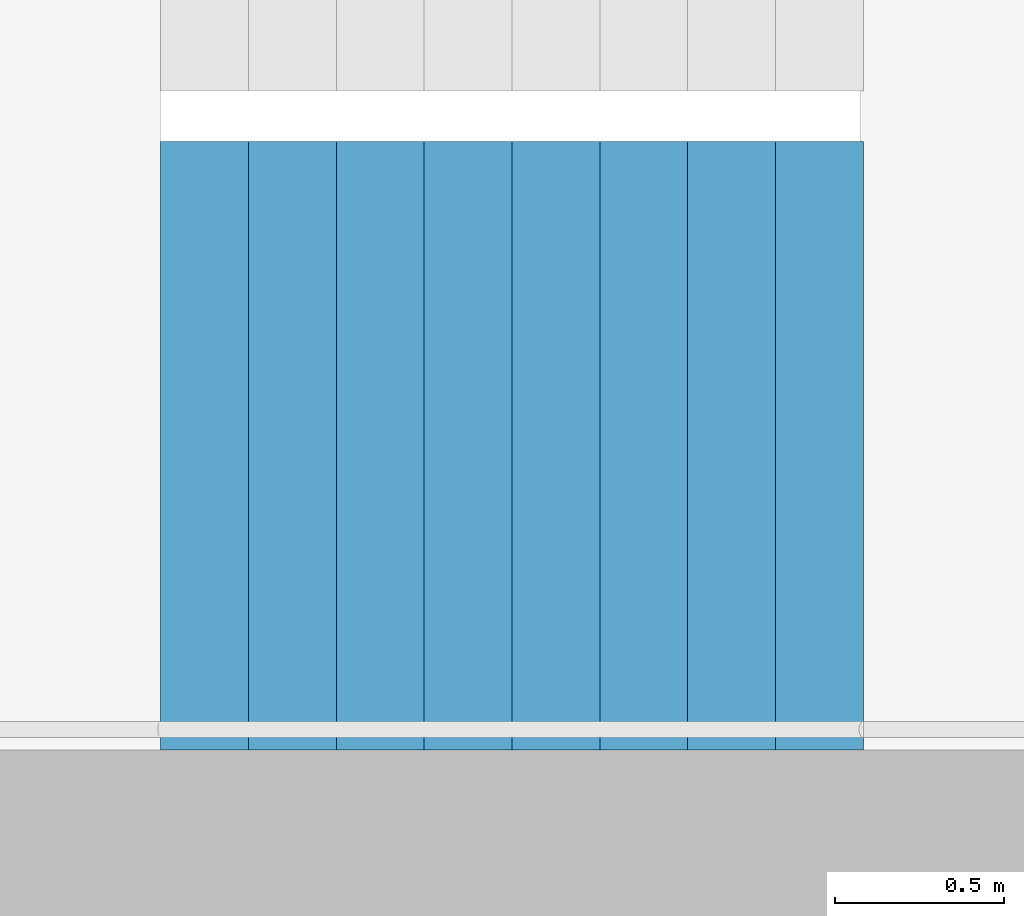
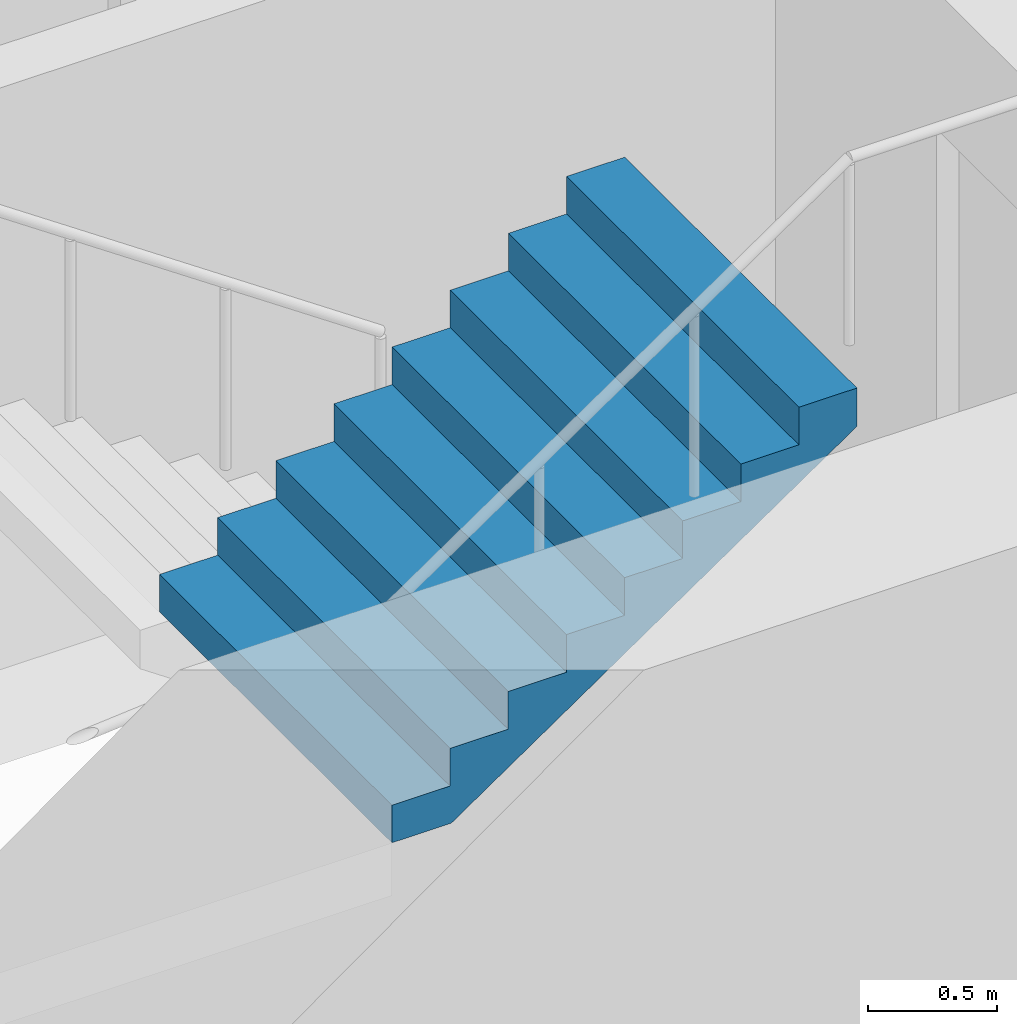
# One storey, part 19 of 27: 1 stair flight, 1 element without a shape of its own.
"""IFC4 building model written with IfcOpenShell, lengths in metres."""

from ifc_helpers import new_model, si_unit, direction, frame, origin, place, context, subcontext, project, spatial, triangles, material, type_object, element, aggregate, save


model = new_model("IFC4")

# Units and contexts
model_context = context("Model", 3, precision=1e-05, world=origin(), true_north=direction((0.0, 1.0)))
body_context = subcontext(model_context, "Body", "Model", "MODEL_VIEW")
ifc_project = project(units=[si_unit("LENGTHUNIT", "METRE"), si_unit("AREAUNIT", "SQUARE_METRE"), si_unit("VOLUMEUNIT", "CUBIC_METRE"), si_unit("PLANEANGLEUNIT", "RADIAN"), si_unit("MASSUNIT", "GRAM", prefix="KILO")], contexts=[model_context])

# Site, building, storey
site_placement = place(None, origin())
site = spatial("IfcSite", under=ifc_project, at=site_placement, CompositionType="ELEMENT")
building_placement = place(site_placement, origin())
building = spatial("IfcBuilding", under=site, at=building_placement, Name="Hakoniwa Tower and Hamabe Station Hall", CompositionType="ELEMENT")
storey_placement = place(building_placement, frame((0.0, 0.0, 255.0)))
storey = spatial("IfcBuildingStorey", under=building, at=storey_placement, Name="L72", CompositionType="ELEMENT", Elevation=255.0)

# Stair, stair flight
ifc_material_1 = material(Name="Concrete C40", Category="concrete")
stair_type = type_object("IfcStairType", Name="ESCAPE STAIR 1800", PredefinedType="HALF_TURN_STAIR", material=ifc_material_1)
stair_placement = place(storey_placement, origin())
stair = element("IfcStair", 1, at=stair_placement, inside=storey, type_object=stair_type, Name="Escape stair ST-2 L72", PredefinedType="HALF_TURN_STAIR")
ifc_material_2 = material(Name="Concrete C40", Category="concrete")
stair_flight_type = type_object("IfcStairFlightType", Name="STAIR FLIGHT 1800", PredefinedType="STRAIGHT", material=ifc_material_2)
stair_flight_placement = place(storey_placement, frame((-25.47998046875, -6.60009765625, 1.60009765625), z_axis=(0.0, 0.0, 1.0), x_axis=(1.0, 0.0, 0.0)))
stair_flight = element("IfcStairFlight", 2, at=stair_flight_placement, type_object=stair_flight_type, Name="ST-2 flight 2", NumberOfRisers=9, NumberOfTreads=8, PredefinedType="STRAIGHT", RiserHeight=0.177777778, TreadLength=0.26, context=body_context, shape_type="Tessellation", body=[
    triangles([(0.0, 0.89990234375, 0.0), (0.260009765625, 0.89990234375, 0.0), (0.265625, 0.89990234375, 0.0), (0.52001953125, 0.89990234375, 0.174072265625), (0.780029296875, 0.89990234375, 0.351806640625), (1.0400390625, 0.89990234375, 0.529541015625), (1.300048828125, 0.89990234375, 0.707275390625), (1.56005859375, 0.89990234375, 0.885009765625), (1.820068359375, 0.89990234375, 1.062744140625), (2.080078125, 0.89990234375, 1.24072265625), (2.080078125, 0.89990234375, 1.422119140625), (1.820068359375, 0.89990234375, 1.422119140625), (1.820068359375, 0.89990234375, 1.244384765625), (1.56005859375, 0.89990234375, 1.244384765625), (1.56005859375, 0.89990234375, 1.066650390625), (1.300048828125, 0.89990234375, 1.066650390625), (1.300048828125, 0.89990234375, 0.888916015625), (1.0400390625, 0.89990234375, 0.888916015625), (1.0400390625, 0.89990234375, 0.711181640625), (0.780029296875, 0.89990234375, 0.711181640625), (0.780029296875, 0.89990234375, 0.533447265625), (0.52001953125, 0.89990234375, 0.533447265625), (0.52001953125, 0.89990234375, 0.35546875), (0.265625, 0.89990234375, 0.35546875), (0.260009765625, 0.89990234375, 0.35546875), (0.260009765625, 0.89990234375, 0.177734375), (0.0, 0.89990234375, 0.177734375), (0.0, 0.06005859375, 0.0), (0.260009765625, 0.06005859375, 0.0), (0.265625, 0.06005859375, 0.0), (0.52001953125, 0.06005859375, 0.174072265625), (0.780029296875, 0.06005859375, 0.351806640625), (1.0400390625, 0.06005859375, 0.529541015625), (1.300048828125, 0.06005859375, 0.707275390625), (1.56005859375, 0.06005859375, 0.885009765625), (1.820068359375, 0.06005859375, 1.062744140625), (2.080078125, 0.06005859375, 1.24072265625), (2.080078125, 0.06005859375, 1.422119140625), (1.820068359375, 0.06005859375, 1.422119140625), (1.820068359375, 0.06005859375, 1.244384765625), (1.56005859375, 0.06005859375, 1.244384765625), (1.56005859375, 0.06005859375, 1.066650390625), (1.300048828125, 0.06005859375, 1.066650390625), (1.300048828125, 0.06005859375, 0.888916015625), (1.0400390625, 0.06005859375, 0.888916015625), (1.0400390625, 0.06005859375, 0.711181640625), (0.780029296875, 0.06005859375, 0.711181640625), (0.780029296875, 0.06005859375, 0.533447265625), (0.52001953125, 0.06005859375, 0.533447265625), (0.52001953125, 0.06005859375, 0.35546875), (0.265625, 0.06005859375, 0.35546875), (0.260009765625, 0.06005859375, 0.35546875), (0.260009765625, 0.06005859375, 0.177734375), (0.0, 0.06005859375, 0.177734375), (0.0, 0.04296875, 0.0), (0.260009765625, 0.04296875, 0.0), (0.265625, 0.04296875, 0.0), (0.52001953125, 0.04296875, 0.174072265625), (0.780029296875, 0.04296875, 0.351806640625), (1.0400390625, 0.04296875, 0.529541015625), (1.300048828125, 0.04296875, 0.707275390625), (1.56005859375, 0.04296875, 0.885009765625), (1.820068359375, 0.04296875, 1.062744140625), (2.080078125, 0.04296875, 1.24072265625), (2.080078125, 0.04296875, 1.422119140625), (1.820068359375, 0.04296875, 1.422119140625), (1.820068359375, 0.04296875, 1.244384765625), (1.56005859375, 0.04296875, 1.244384765625), (1.56005859375, 0.04296875, 1.066650390625), (1.300048828125, 0.04296875, 1.066650390625), (1.300048828125, 0.04296875, 0.888916015625), (1.0400390625, 0.04296875, 0.888916015625), (1.0400390625, 0.04296875, 0.711181640625), (0.780029296875, 0.04296875, 0.711181640625), (0.780029296875, 0.04296875, 0.533447265625), (0.52001953125, 0.04296875, 0.533447265625), (0.52001953125, 0.04296875, 0.35546875), (0.265625, 0.04296875, 0.35546875), (0.260009765625, 0.04296875, 0.35546875), (0.260009765625, 0.04296875, 0.177734375), (0.0, 0.04296875, 0.177734375), (0.0, 0.025634765625, 0.0), (0.260009765625, 0.025634765625, 0.0), (0.265625, 0.025634765625, 0.0), (0.52001953125, 0.025634765625, 0.174072265625), (0.780029296875, 0.025634765625, 0.351806640625), (1.0400390625, 0.025634765625, 0.529541015625), (1.300048828125, 0.025634765625, 0.707275390625), (1.56005859375, 0.025634765625, 0.885009765625), (1.820068359375, 0.025634765625, 1.062744140625), (2.080078125, 0.025634765625, 1.24072265625), (2.080078125, 0.025634765625, 1.422119140625), (1.820068359375, 0.025634765625, 1.422119140625), (1.820068359375, 0.025634765625, 1.244384765625), (1.56005859375, 0.025634765625, 1.244384765625), (1.56005859375, 0.025634765625, 1.066650390625), (1.300048828125, 0.025634765625, 1.066650390625), (1.300048828125, 0.025634765625, 0.888916015625), (1.0400390625, 0.025634765625, 0.888916015625), (1.0400390625, 0.025634765625, 0.711181640625), (0.780029296875, 0.025634765625, 0.711181640625), (0.780029296875, 0.025634765625, 0.533447265625), (0.52001953125, 0.025634765625, 0.533447265625), (0.52001953125, 0.025634765625, 0.35546875), (0.265625, 0.025634765625, 0.35546875), (0.260009765625, 0.025634765625, 0.35546875), (0.260009765625, 0.025634765625, 0.177734375), (0.0, 0.025634765625, 0.177734375), (0.0, 0.008544921875, 0.0), (0.260009765625, 0.008544921875, 0.0), (0.265625, 0.008544921875, 0.0), (0.52001953125, 0.008544921875, 0.174072265625), (0.780029296875, 0.008544921875, 0.351806640625), (1.0400390625, 0.008544921875, 0.529541015625), (1.300048828125, 0.008544921875, 0.707275390625), (1.56005859375, 0.008544921875, 0.885009765625), (1.820068359375, 0.008544921875, 1.062744140625), (2.080078125, 0.008544921875, 1.24072265625), (2.080078125, 0.008544921875, 1.422119140625), (1.820068359375, 0.008544921875, 1.422119140625), (1.820068359375, 0.008544921875, 1.244384765625), (1.56005859375, 0.008544921875, 1.244384765625), (1.56005859375, 0.008544921875, 1.066650390625), (1.300048828125, 0.008544921875, 1.066650390625), (1.300048828125, 0.008544921875, 0.888916015625), (1.0400390625, 0.008544921875, 0.888916015625), (1.0400390625, 0.008544921875, 0.711181640625), (0.780029296875, 0.008544921875, 0.711181640625), (0.780029296875, 0.008544921875, 0.533447265625), (0.52001953125, 0.008544921875, 0.533447265625), (0.52001953125, 0.008544921875, 0.35546875), (0.265625, 0.008544921875, 0.35546875), (0.260009765625, 0.008544921875, 0.35546875), (0.260009765625, 0.008544921875, 0.177734375), (0.0, 0.008544921875, 0.177734375), (0.0, -0.008544921875, 0.0), (0.260009765625, -0.008544921875, 0.0), (0.265625, -0.008544921875, 0.0), (0.52001953125, -0.008544921875, 0.174072265625), (0.780029296875, -0.008544921875, 0.351806640625), (1.0400390625, -0.008544921875, 0.529541015625), (1.300048828125, -0.008544921875, 0.707275390625), (1.56005859375, -0.008544921875, 0.885009765625), (1.820068359375, -0.008544921875, 1.062744140625), (2.080078125, -0.008544921875, 1.24072265625), (2.080078125, -0.008544921875, 1.422119140625), (1.820068359375, -0.008544921875, 1.422119140625), (1.820068359375, -0.008544921875, 1.244384765625), (1.56005859375, -0.008544921875, 1.244384765625), (1.56005859375, -0.008544921875, 1.066650390625), (1.300048828125, -0.008544921875, 1.066650390625), (1.300048828125, -0.008544921875, 0.888916015625), (1.0400390625, -0.008544921875, 0.888916015625), (1.0400390625, -0.008544921875, 0.711181640625), (0.780029296875, -0.008544921875, 0.711181640625), (0.780029296875, -0.008544921875, 0.533447265625), (0.52001953125, -0.008544921875, 0.533447265625), (0.52001953125, -0.008544921875, 0.35546875), (0.265625, -0.008544921875, 0.35546875), (0.260009765625, -0.008544921875, 0.35546875), (0.260009765625, -0.008544921875, 0.177734375), (0.0, -0.008544921875, 0.177734375), (0.0, -0.025634765625, 0.0), (0.260009765625, -0.025634765625, 0.0), (0.265625, -0.025634765625, 0.0), (0.52001953125, -0.025634765625, 0.174072265625), (0.780029296875, -0.025634765625, 0.351806640625), (1.0400390625, -0.025634765625, 0.529541015625), (1.300048828125, -0.025634765625, 0.707275390625), (1.56005859375, -0.025634765625, 0.885009765625), (1.820068359375, -0.025634765625, 1.062744140625), (2.080078125, -0.025634765625, 1.24072265625), (2.080078125, -0.025634765625, 1.422119140625), (1.820068359375, -0.025634765625, 1.422119140625), (1.820068359375, -0.025634765625, 1.244384765625), (1.56005859375, -0.025634765625, 1.244384765625), (1.56005859375, -0.025634765625, 1.066650390625), (1.300048828125, -0.025634765625, 1.066650390625), (1.300048828125, -0.025634765625, 0.888916015625), (1.0400390625, -0.025634765625, 0.888916015625), (1.0400390625, -0.025634765625, 0.711181640625), (0.780029296875, -0.025634765625, 0.711181640625), (0.780029296875, -0.025634765625, 0.533447265625), (0.52001953125, -0.025634765625, 0.533447265625), (0.52001953125, -0.025634765625, 0.35546875), (0.265625, -0.025634765625, 0.35546875), (0.260009765625, -0.025634765625, 0.35546875), (0.260009765625, -0.025634765625, 0.177734375), (0.0, -0.025634765625, 0.177734375), (0.0, -0.04296875, 0.0), (0.260009765625, -0.04296875, 0.0), (0.265625, -0.04296875, 0.0), (0.52001953125, -0.04296875, 0.174072265625), (0.780029296875, -0.04296875, 0.351806640625), (1.0400390625, -0.04296875, 0.529541015625), (1.300048828125, -0.04296875, 0.707275390625), (1.56005859375, -0.04296875, 0.885009765625), (1.820068359375, -0.04296875, 1.062744140625), (2.080078125, -0.04296875, 1.24072265625), (2.080078125, -0.04296875, 1.422119140625), (1.820068359375, -0.04296875, 1.422119140625), (1.820068359375, -0.04296875, 1.244384765625), (1.56005859375, -0.04296875, 1.244384765625), (1.56005859375, -0.04296875, 1.066650390625), (1.300048828125, -0.04296875, 1.066650390625), (1.300048828125, -0.04296875, 0.888916015625), (1.0400390625, -0.04296875, 0.888916015625), (1.0400390625, -0.04296875, 0.711181640625), (0.780029296875, -0.04296875, 0.711181640625), (0.780029296875, -0.04296875, 0.533447265625), (0.52001953125, -0.04296875, 0.533447265625), (0.52001953125, -0.04296875, 0.35546875), (0.265625, -0.04296875, 0.35546875), (0.260009765625, -0.04296875, 0.35546875), (0.260009765625, -0.04296875, 0.177734375), (0.0, -0.04296875, 0.177734375), (0.0, -0.06005859375, 0.0), (0.260009765625, -0.06005859375, 0.0), (0.265625, -0.06005859375, 0.0), (0.52001953125, -0.06005859375, 0.174072265625), (0.780029296875, -0.06005859375, 0.351806640625), (1.0400390625, -0.06005859375, 0.529541015625), (1.300048828125, -0.06005859375, 0.707275390625), (1.56005859375, -0.06005859375, 0.885009765625), (1.820068359375, -0.06005859375, 1.062744140625), (2.080078125, -0.06005859375, 1.24072265625), (2.080078125, -0.06005859375, 1.422119140625), (1.820068359375, -0.06005859375, 1.422119140625), (1.820068359375, -0.06005859375, 1.244384765625), (1.56005859375, -0.06005859375, 1.244384765625), (1.56005859375, -0.06005859375, 1.066650390625), (1.300048828125, -0.06005859375, 1.066650390625), (1.300048828125, -0.06005859375, 0.888916015625), (1.0400390625, -0.06005859375, 0.888916015625), (1.0400390625, -0.06005859375, 0.711181640625), (0.780029296875, -0.06005859375, 0.711181640625), (0.780029296875, -0.06005859375, 0.533447265625), (0.52001953125, -0.06005859375, 0.533447265625), (0.52001953125, -0.06005859375, 0.35546875), (0.265625, -0.06005859375, 0.35546875), (0.260009765625, -0.06005859375, 0.35546875), (0.260009765625, -0.06005859375, 0.177734375), (0.0, -0.06005859375, 0.177734375), (0.0, -0.89990234375, 0.0), (0.260009765625, -0.89990234375, 0.0), (0.265625, -0.89990234375, 0.0), (0.52001953125, -0.89990234375, 0.174072265625), (0.780029296875, -0.89990234375, 0.351806640625), (1.0400390625, -0.89990234375, 0.529541015625), (1.300048828125, -0.89990234375, 0.707275390625), (1.56005859375, -0.89990234375, 0.885009765625), (1.820068359375, -0.89990234375, 1.062744140625), (2.080078125, -0.89990234375, 1.24072265625), (2.080078125, -0.89990234375, 1.422119140625), (1.820068359375, -0.89990234375, 1.422119140625), (1.820068359375, -0.89990234375, 1.244384765625), (1.56005859375, -0.89990234375, 1.244384765625), (1.56005859375, -0.89990234375, 1.066650390625), (1.300048828125, -0.89990234375, 1.066650390625), (1.300048828125, -0.89990234375, 0.888916015625), (1.0400390625, -0.89990234375, 0.888916015625), (1.0400390625, -0.89990234375, 0.711181640625), (0.780029296875, -0.89990234375, 0.711181640625), (0.780029296875, -0.89990234375, 0.533447265625), (0.52001953125, -0.89990234375, 0.533447265625), (0.52001953125, -0.89990234375, 0.35546875), (0.265625, -0.89990234375, 0.35546875), (0.260009765625, -0.89990234375, 0.35546875), (0.260009765625, -0.89990234375, 0.177734375), (0.0, -0.89990234375, 0.177734375)], [[2, 27, 26], [245, 269, 270], [2, 1, 27], [245, 270, 244], [3, 25, 24], [246, 267, 268], [3, 26, 25], [246, 268, 269], [3, 2, 26], [246, 269, 245], [4, 24, 23], [247, 266, 267], [4, 3, 24], [247, 267, 246], [5, 22, 21], [248, 264, 265], [5, 23, 22], [248, 265, 266], [5, 4, 23], [248, 266, 247], [6, 20, 19], [249, 262, 263], [6, 21, 20], [249, 263, 264], [6, 5, 21], [249, 264, 248], [7, 18, 17], [250, 260, 261], [7, 19, 18], [250, 261, 262], [7, 6, 19], [250, 262, 249], [8, 16, 15], [251, 258, 259], [8, 17, 16], [251, 259, 260], [8, 7, 17], [251, 260, 250], [9, 14, 13], [252, 256, 257], [9, 15, 14], [252, 257, 258], [9, 8, 15], [252, 258, 251], [10, 12, 11], [253, 254, 255], [10, 13, 12], [253, 255, 256], [10, 9, 13], [253, 256, 252], [1, 2, 29], [1, 29, 28], [28, 29, 56], [28, 56, 55], [55, 56, 83], [55, 83, 82], [82, 83, 110], [82, 110, 109], [109, 110, 137], [109, 137, 136], [136, 137, 164], [136, 164, 163], [163, 164, 191], [163, 191, 190], [190, 191, 218], [190, 218, 217], [217, 218, 245], [217, 245, 244], [2, 3, 30], [2, 30, 29], [29, 30, 57], [29, 57, 56], [56, 57, 84], [56, 84, 83], [83, 84, 111], [83, 111, 110], [110, 111, 138], [110, 138, 137], [137, 138, 165], [137, 165, 164], [164, 165, 192], [164, 192, 191], [191, 192, 219], [191, 219, 218], [218, 219, 246], [218, 246, 245], [3, 4, 31], [3, 31, 30], [30, 31, 58], [30, 58, 57], [57, 58, 85], [57, 85, 84], [84, 85, 112], [84, 112, 111], [111, 112, 139], [111, 139, 138], [138, 139, 166], [138, 166, 165], [165, 166, 193], [165, 193, 192], [192, 193, 220], [192, 220, 219], [219, 220, 247], [219, 247, 246], [4, 5, 32], [4, 32, 31], [31, 32, 59], [31, 59, 58], [58, 59, 86], [58, 86, 85], [85, 86, 113], [85, 113, 112], [112, 113, 140], [112, 140, 139], [139, 140, 167], [139, 167, 166], [166, 167, 194], [166, 194, 193], [193, 194, 221], [193, 221, 220], [220, 221, 248], [220, 248, 247], [5, 6, 33], [5, 33, 32], [32, 33, 60], [32, 60, 59], [59, 60, 87], [59, 87, 86], [86, 87, 114], [86, 114, 113], [113, 114, 141], [113, 141, 140], [140, 141, 168], [140, 168, 167], [167, 168, 195], [167, 195, 194], [194, 195, 222], [194, 222, 221], [221, 222, 249], [221, 249, 248], [6, 7, 34], [6, 34, 33], [33, 34, 61], [33, 61, 60], [60, 61, 88], [60, 88, 87], [87, 88, 115], [87, 115, 114], [114, 115, 142], [114, 142, 141], [141, 142, 169], [141, 169, 168], [168, 169, 196], [168, 196, 195], [195, 196, 223], [195, 223, 222], [222, 223, 250], [222, 250, 249], [7, 8, 35], [7, 35, 34], [34, 35, 62], [34, 62, 61], [61, 62, 89], [61, 89, 88], [88, 89, 116], [88, 116, 115], [115, 116, 143], [115, 143, 142], [142, 143, 170], [142, 170, 169], [169, 170, 197], [169, 197, 196], [196, 197, 224], [196, 224, 223], [223, 224, 251], [223, 251, 250], [8, 9, 36], [8, 36, 35], [35, 36, 63], [35, 63, 62], [62, 63, 90], [62, 90, 89], [89, 90, 117], [89, 117, 116], [116, 117, 144], [116, 144, 143], [143, 144, 171], [143, 171, 170], [170, 171, 198], [170, 198, 197], [197, 198, 225], [197, 225, 224], [224, 225, 252], [224, 252, 251], [9, 10, 37], [9, 37, 36], [36, 37, 64], [36, 64, 63], [63, 64, 91], [63, 91, 90], [90, 91, 118], [90, 118, 117], [117, 118, 145], [117, 145, 144], [144, 145, 172], [144, 172, 171], [171, 172, 199], [171, 199, 198], [198, 199, 226], [198, 226, 225], [225, 226, 253], [225, 253, 252], [10, 11, 38], [10, 38, 37], [37, 38, 65], [37, 65, 64], [64, 65, 92], [64, 92, 91], [91, 92, 119], [91, 119, 118], [118, 119, 146], [118, 146, 145], [145, 146, 173], [145, 173, 172], [172, 173, 200], [172, 200, 199], [199, 200, 227], [199, 227, 226], [226, 227, 254], [226, 254, 253], [11, 12, 39], [11, 39, 38], [38, 39, 66], [38, 66, 65], [65, 66, 93], [65, 93, 92], [92, 93, 120], [92, 120, 119], [119, 120, 147], [119, 147, 146], [146, 147, 174], [146, 174, 173], [173, 174, 201], [173, 201, 200], [200, 201, 228], [200, 228, 227], [227, 228, 255], [227, 255, 254], [12, 13, 40], [12, 40, 39], [39, 40, 67], [39, 67, 66], [66, 67, 94], [66, 94, 93], [93, 94, 121], [93, 121, 120], [120, 121, 148], [120, 148, 147], [147, 148, 175], [147, 175, 174], [174, 175, 202], [174, 202, 201], [201, 202, 229], [201, 229, 228], [228, 229, 256], [228, 256, 255], [13, 14, 41], [13, 41, 40], [40, 41, 68], [40, 68, 67], [67, 68, 95], [67, 95, 94], [94, 95, 122], [94, 122, 121], [121, 122, 149], [121, 149, 148], [148, 149, 176], [148, 176, 175], [175, 176, 203], [175, 203, 202], [202, 203, 230], [202, 230, 229], [229, 230, 257], [229, 257, 256], [14, 15, 42], [14, 42, 41], [41, 42, 69], [41, 69, 68], [68, 69, 96], [68, 96, 95], [95, 96, 123], [95, 123, 122], [122, 123, 150], [122, 150, 149], [149, 150, 177], [149, 177, 176], [176, 177, 204], [176, 204, 203], [203, 204, 231], [203, 231, 230], [230, 231, 258], [230, 258, 257], [15, 16, 43], [15, 43, 42], [42, 43, 70], [42, 70, 69], [69, 70, 97], [69, 97, 96], [96, 97, 124], [96, 124, 123], [123, 124, 151], [123, 151, 150], [150, 151, 178], [150, 178, 177], [177, 178, 205], [177, 205, 204], [204, 205, 232], [204, 232, 231], [231, 232, 259], [231, 259, 258], [16, 17, 44], [16, 44, 43], [43, 44, 71], [43, 71, 70], [70, 71, 98], [70, 98, 97], [97, 98, 125], [97, 125, 124], [124, 125, 152], [124, 152, 151], [151, 152, 179], [151, 179, 178], [178, 179, 206], [178, 206, 205], [205, 206, 233], [205, 233, 232], [232, 233, 260], [232, 260, 259], [17, 18, 45], [17, 45, 44], [44, 45, 72], [44, 72, 71], [71, 72, 99], [71, 99, 98], [98, 99, 126], [98, 126, 125], [125, 126, 153], [125, 153, 152], [152, 153, 180], [152, 180, 179], [179, 180, 207], [179, 207, 206], [206, 207, 234], [206, 234, 233], [233, 234, 261], [233, 261, 260], [18, 19, 46], [18, 46, 45], [45, 46, 73], [45, 73, 72], [72, 73, 100], [72, 100, 99], [99, 100, 127], [99, 127, 126], [126, 127, 154], [126, 154, 153], [153, 154, 181], [153, 181, 180], [180, 181, 208], [180, 208, 207], [207, 208, 235], [207, 235, 234], [234, 235, 262], [234, 262, 261], [19, 20, 47], [19, 47, 46], [46, 47, 74], [46, 74, 73], [73, 74, 101], [73, 101, 100], [100, 101, 128], [100, 128, 127], [127, 128, 155], [127, 155, 154], [154, 155, 182], [154, 182, 181], [181, 182, 209], [181, 209, 208], [208, 209, 236], [208, 236, 235], [235, 236, 263], [235, 263, 262], [20, 21, 48], [20, 48, 47], [47, 48, 75], [47, 75, 74], [74, 75, 102], [74, 102, 101], [101, 102, 129], [101, 129, 128], [128, 129, 156], [128, 156, 155], [155, 156, 183], [155, 183, 182], [182, 183, 210], [182, 210, 209], [209, 210, 237], [209, 237, 236], [236, 237, 264], [236, 264, 263], [21, 22, 49], [21, 49, 48], [48, 49, 76], [48, 76, 75], [75, 76, 103], [75, 103, 102], [102, 103, 130], [102, 130, 129], [129, 130, 157], [129, 157, 156], [156, 157, 184], [156, 184, 183], [183, 184, 211], [183, 211, 210], [210, 211, 238], [210, 238, 237], [237, 238, 265], [237, 265, 264], [22, 23, 50], [22, 50, 49], [49, 50, 77], [49, 77, 76], [76, 77, 104], [76, 104, 103], [103, 104, 131], [103, 131, 130], [130, 131, 158], [130, 158, 157], [157, 158, 185], [157, 185, 184], [184, 185, 212], [184, 212, 211], [211, 212, 239], [211, 239, 238], [238, 239, 266], [238, 266, 265], [23, 24, 51], [23, 51, 50], [50, 51, 78], [50, 78, 77], [77, 78, 105], [77, 105, 104], [104, 105, 132], [104, 132, 131], [131, 132, 159], [131, 159, 158], [158, 159, 186], [158, 186, 185], [185, 186, 213], [185, 213, 212], [212, 213, 240], [212, 240, 239], [239, 240, 267], [239, 267, 266], [24, 25, 52], [24, 52, 51], [51, 52, 79], [51, 79, 78], [78, 79, 106], [78, 106, 105], [105, 106, 133], [105, 133, 132], [132, 133, 160], [132, 160, 159], [159, 160, 187], [159, 187, 186], [186, 187, 214], [186, 214, 213], [213, 214, 241], [213, 241, 240], [240, 241, 268], [240, 268, 267], [25, 26, 53], [25, 53, 52], [52, 53, 80], [52, 80, 79], [79, 80, 107], [79, 107, 106], [106, 107, 134], [106, 134, 133], [133, 134, 161], [133, 161, 160], [160, 161, 188], [160, 188, 187], [187, 188, 215], [187, 215, 214], [214, 215, 242], [214, 242, 241], [241, 242, 269], [241, 269, 268], [26, 27, 54], [26, 54, 53], [53, 54, 81], [53, 81, 80], [80, 81, 108], [80, 108, 107], [107, 108, 135], [107, 135, 134], [134, 135, 162], [134, 162, 161], [161, 162, 189], [161, 189, 188], [188, 189, 216], [188, 216, 215], [215, 216, 243], [215, 243, 242], [242, 243, 270], [242, 270, 269], [27, 1, 28], [27, 28, 54], [54, 28, 55], [54, 55, 81], [81, 55, 82], [81, 82, 108], [108, 82, 109], [108, 109, 135], [135, 109, 136], [135, 136, 162], [162, 136, 163], [162, 163, 189], [189, 163, 190], [189, 190, 216], [216, 190, 217], [216, 217, 243], [243, 217, 244], [243, 244, 270]], closed=True),
])
aggregate(stair, [stair_flight])

save(model, "model.ifc")
